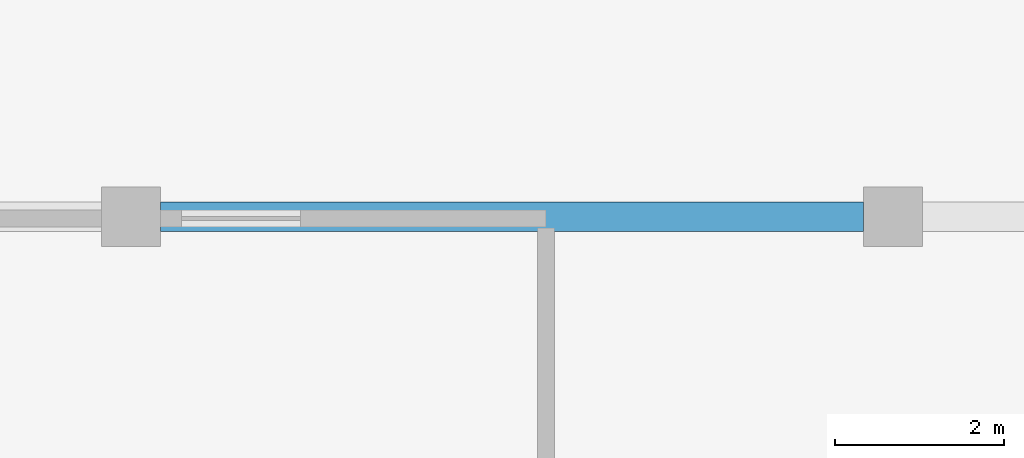
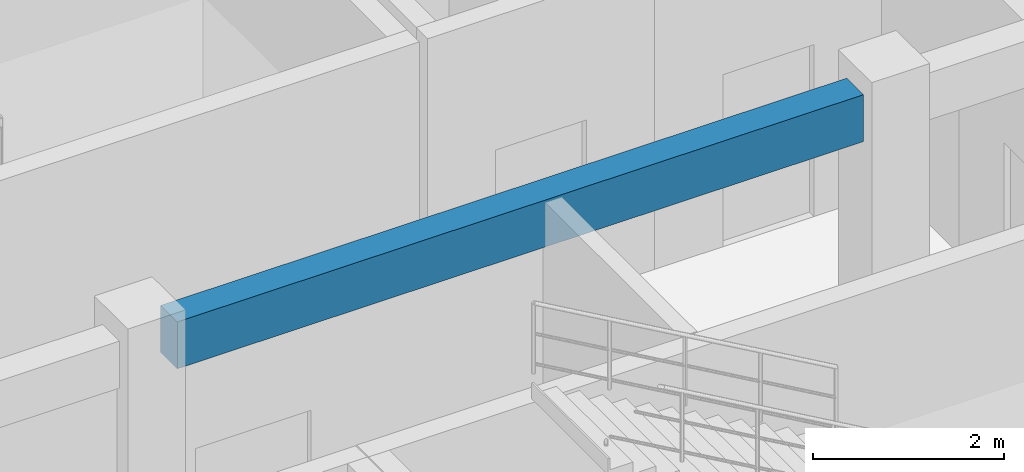
# One storey, part 36 of 71: 1 beam.
"""IFC4 building model written with IfcOpenShell, lengths in metres."""

from ifc_helpers import new_model, si_unit, derived_unit, direction, frame, origin, origin_2d, place, context, subcontext, project, spatial, rectangle, extrude, material, material_profile, profile_set, type_object, element, save


model = new_model("IFC4")

# Units and contexts
model_context = context("Model", 3, precision=1e-05, world=origin(), true_north=direction((0.0, 1.0)))
body_context = subcontext(model_context, "Body", "Model", "MODEL_VIEW")
ifc_project = project(units=[si_unit("LENGTHUNIT", "METRE"), si_unit("AREAUNIT", "SQUARE_METRE"), si_unit("VOLUMEUNIT", "CUBIC_METRE"), si_unit("PLANEANGLEUNIT", "RADIAN"), si_unit("MASSUNIT", "GRAM", prefix="KILO"), derived_unit("THERMALTRANSMITTANCEUNIT", [(si_unit("MASSUNIT", "GRAM", prefix="KILO"), 1), (si_unit("TIMEUNIT", "SECOND"), -3), (si_unit("THERMODYNAMICTEMPERATUREUNIT", "KELVIN"), -1)])], contexts=[model_context])

# Site, building, storey
site_placement = place(None, origin())
site = spatial("IfcSite", under=ifc_project, at=site_placement, CompositionType="ELEMENT")
building_placement = place(site_placement, origin())
building = spatial("IfcBuilding", under=site, at=building_placement, Name="Zhenchuan Archway Interchange", CompositionType="ELEMENT")
storey_placement = place(building_placement, frame((0.0, 0.0, 18.60009765625)))
storey = spatial("IfcBuildingStorey", under=building, at=storey_placement, Name="L04", CompositionType="ELEMENT", Elevation=18.60009765625)

# Beam
ifc_material = material(Name="Concrete C40", Category="concrete")
ifc_material_profile = material_profile(ifc_material, rectangle(XDim=0.35009765625, YDim=0.60009765625, at=origin_2d()), Name="RC 350x600")
ifc_profile_set = profile_set([ifc_material_profile], Name="Concrete C40")
beam_type = type_object("IfcBeamType", Name="BM_RC_350x600", PredefinedType="BEAM", material=ifc_profile_set)
beam_placement = place(storey_placement, frame((153.35009765625, 56.0, 3.639892578125), z_axis=(1.0, 0.0, 0.0), x_axis=(0.0, 1.0, 0.0)))
element("IfcBeam", 1, at=beam_placement, inside=storey, type_object=beam_type, Name="Beam H:18-19 (L04)", PredefinedType="BEAM", context=body_context, shape_type="SweptSolid", body=[
    extrude(rectangle(XDim=0.35009765625, YDim=0.60009765625, at=origin_2d()), origin(), (0.0, 0.0, 1.0), 8.2998046875),
])

save(model, "model.ifc")
